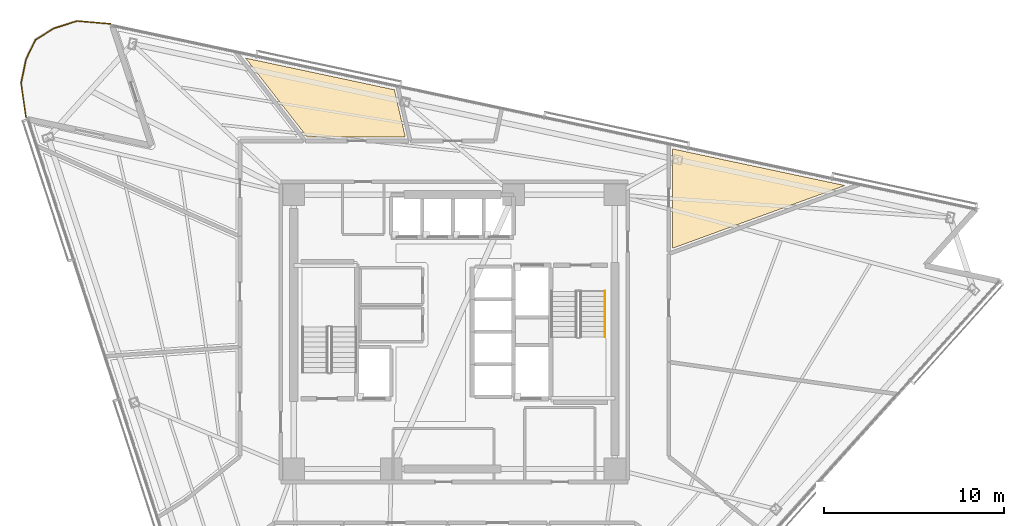
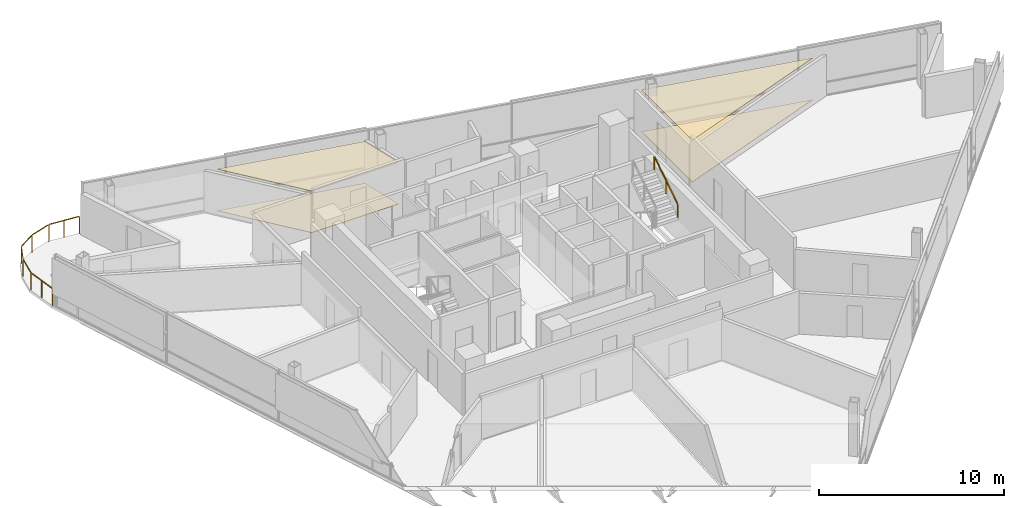
# One storey, part 17 of 17: 4 coverings, 2 railings.
"""IFC4 building model written with IfcOpenShell, lengths in metres."""

from ifc_helpers import new_model, si_unit, direction, frame, origin, origin_2d, place, context, subcontext, project, spatial, polyline, rectangle, outline, extrude, material, layer, layer_set, type_object, element, save


model = new_model("IFC4")

# Units and contexts
model_context = context("Model", 3, precision=1e-05, world=origin(), true_north=direction((0.0, 1.0)))
body_context = subcontext(model_context, "Body", "Model", "MODEL_VIEW")
ifc_project = project(units=[si_unit("LENGTHUNIT", "METRE"), si_unit("AREAUNIT", "SQUARE_METRE"), si_unit("VOLUMEUNIT", "CUBIC_METRE"), si_unit("PLANEANGLEUNIT", "RADIAN"), si_unit("MASSUNIT", "GRAM", prefix="KILO")], contexts=[model_context])

# Site, building, storey
site_placement = place(None, origin())
site = spatial("IfcSite", under=ifc_project, at=site_placement, CompositionType="ELEMENT")
building_placement = place(site_placement, origin())
building = spatial("IfcBuilding", under=site, at=building_placement, Name="Tharavind Bronze Gate", CompositionType="ELEMENT")
storey_placement = place(building_placement, frame((0.0, 0.0, 214.85009765625)))
storey = spatial("IfcBuildingStorey", under=building, at=storey_placement, Name="L55", CompositionType="ELEMENT", Elevation=214.85009765625)

# Coverings
ifc_material_1 = material(Name="Engineered Oak & Carpet Tile", Category="wood")
ifc_layer_1 = layer(ifc_material_1, 0.02490234375)
ifc_layer_set_1 = layer_set([ifc_layer_1], Name="Engineered Oak & Carpet Tile")
covering_type_1 = type_object("IfcCoveringType", Name="ENGINEERED TIMBER FLOORING", PredefinedType="FLOORING", material=ifc_layer_set_1)
covering_1_placement = place(storey_placement, origin())
element("IfcCovering", 1, at=covering_1_placement, inside=storey, type_object=covering_type_1, Name="L55-RM-01 floor finish", PredefinedType="FLOORING", context=body_context, shape_type="SweptSolid", body=[
    extrude(outline(polyline([(21.644287109375, 8.112060546875), (12.10009765625, 10.140625), (12.10009765625, 4.63818359375), (21.644287109375, 8.112060546875)])), origin(), (0.0, 0.0, 1.0), 0.02490234375),
])
covering_2_placement = place(storey_placement, origin())
element("IfcCovering", 2, at=covering_2_placement, inside=storey, type_object=covering_type_1, Name="L55-RM-03 floor finish", PredefinedType="FLOORING", context=body_context, shape_type="SweptSolid", body=[
    extrude(outline(polyline([(-8.15869140625, 10.800048828125), (-2.71923828125, 10.800048828125), (-3.32373046875, 13.419189453125), (-11.5751953125, 15.173095703125), (-8.15869140625, 10.800048828125)])), origin(), (0.0, 0.0, 1.0), 0.02490234375),
])
ifc_material_2 = material(Name="Acoustic Gypsum Board", Category="gypsum")
ifc_layer_2 = layer(ifc_material_2, 0.030029296875)
ifc_layer_set_2 = layer_set([ifc_layer_2], Name="Acoustic Gypsum Board")
covering_type_2 = type_object("IfcCoveringType", Name="GYPSUM SUSPENDED CEILING", PredefinedType="CEILING", material=ifc_layer_set_2)
covering_3_placement = place(storey_placement, frame((0.0, 0.0, 2.75)))
element("IfcCovering", 3, at=covering_3_placement, inside=storey, type_object=covering_type_2, Name="L55-RM-01 suspended ceiling", PredefinedType="CEILING", context=body_context, shape_type="SweptSolid", body=[
    extrude(outline(polyline([(21.644287109375, 8.112060546875), (12.10009765625, 10.140625), (12.10009765625, 4.63818359375), (21.644287109375, 8.112060546875)])), origin(), (0.0, 0.0, 1.0), 0.034912109375),
])
covering_4_placement = place(storey_placement, frame((0.0, 0.0, 2.75)))
element("IfcCovering", 4, at=covering_4_placement, inside=storey, type_object=covering_type_2, Name="L55-RM-03 suspended ceiling", PredefinedType="CEILING", context=body_context, shape_type="SweptSolid", body=[
    extrude(outline(polyline([(-8.15869140625, 10.800048828125), (-2.71923828125, 10.800048828125), (-3.32373046875, 13.419189453125), (-11.5751953125, 15.173095703125), (-8.15869140625, 10.800048828125)])), origin(), (0.0, 0.0, 1.0), 0.034912109375),
])

# Railings
ifc_material_3 = material(Name="Brushed Bronze Alloy", Category="metal")
railing_type_1 = type_object("IfcRailingType", Name="STAIR BRONZE HANDRAIL 900", PredefinedType="HANDRAIL", material=ifc_material_3)
railing_1_placement = place(storey_placement, frame((8.35009765625, -0.27001953125, 1.97998046875)))
element("IfcRailing", 5, at=railing_1_placement, inside=storey, type_object=railing_type_1, Name="L55 ST2 stair handrail 2", PredefinedType="HANDRAIL", context=body_context, shape_type="SweptSolid", body=[
    extrude(rectangle(XDim=0.048095703125, YDim=0.048095703125, at=origin_2d()), frame((0.0, 0.02685546875, 0.89306640625), z_axis=(0.0, 0.841199657755, 0.540724639528), x_axis=(-1.0, 0.0, 0.0)), (0.0, 0.0, 1.0), 2.931640625),
    extrude(rectangle(XDim=0.0400390625, YDim=0.0400390625, at=origin_2d()), origin(), (0.0, 0.0, 1.0), 0.847900390625),
    extrude(rectangle(XDim=0.0400390625, YDim=0.0400390625, at=origin_2d()), frame((0.0, 1.260009765625, 0.81005859375)), (0.0, 0.0, 1.0), 0.847900390625),
    extrude(rectangle(XDim=0.0400390625, YDim=0.0400390625, at=origin_2d()), frame((0.0, 2.52001953125, 1.619873046875)), (0.0, 0.0, 1.0), 0.847900390625),
])
ifc_material_4 = material(Name="Bronze Cap & Laminated Glass", Category="glass")
railing_type_2 = type_object("IfcRailingType", Name="TERRACE GLASS GUARD RAILING 1150", PredefinedType="GUARDRAIL", material=ifc_material_4)
railing_2_placement = place(storey_placement, frame((-23.7490234375, 11.887451171875, 0.0)))
element("IfcRailing", 6, at=railing_2_placement, inside=storey, type_object=railing_type_2, Name="L55 tree balcony guard railing", PredefinedType="GUARDRAIL", context=body_context, shape_type="SweptSolid", body=[
    extrude(rectangle(XDim=0.048095703125, YDim=0.048095703125, at=origin_2d()), frame((-0.00439453125, 0.03173828125, 1.1259765625), z_axis=(-0.1396808932, 0.990196570422, 0.0), x_axis=(-0.990196570422, -0.1396808932, 0.0)), (0.0, 0.0, 1.0), 1.841064453125),
    extrude(rectangle(XDim=0.048095703125, YDim=0.048095703125, at=origin_2d()), frame((-0.259765625, 1.917724609375, 1.1259765625), z_axis=(0.201091111257, 0.979572541966, 0.0), x_axis=(-0.979572541966, 0.201091111257, 0.0)), (0.0, 0.0, 1.0), 1.284912109375),
    extrude(rectangle(XDim=0.048095703125, YDim=0.048095703125, at=origin_2d()), frame((0.01904296875, 3.236572265625, 1.1259765625), z_axis=(0.435566196468, 0.900156702188, 0.0), x_axis=(-0.900156702188, 0.435566196468, 0.0)), (0.0, 0.0, 1.0), 1.147216796875),
    extrude(rectangle(XDim=0.048095703125, YDim=0.048095703125, at=origin_2d()), frame((0.559814453125, 4.31494140625, 1.1259765625), z_axis=(0.849714893769, 0.527242448316, 0.0), x_axis=(-0.527242448316, 0.849714893769, 0.0)), (0.0, 0.0, 1.0), 1.1474609375),
    extrude(rectangle(XDim=0.048095703125, YDim=0.048095703125, at=origin_2d()), frame((1.592529296875, 4.946533203125, 1.1259765625), z_axis=(0.953163202503, 0.302456458675, 0.0), x_axis=(-0.302456458675, 0.953163202503, 0.0)), (0.0, 0.0, 1.0), 1.284912109375),
    extrude(rectangle(XDim=0.048095703125, YDim=0.048095703125, at=origin_2d()), frame((2.879638671875, 5.342041015625, 1.1259765625), z_axis=(0.996289002034, -0.086071042903, 0.0), x_axis=(0.086071042903, 0.996289002034, 0.0)), (0.0, 0.0, 1.0), 1.765625),
    extrude(rectangle(XDim=0.0400390625, YDim=0.0400390625, at=origin_2d()), origin(), (0.0, 0.0, 1.0), 1.097900390625),
    extrude(rectangle(XDim=0.0400390625, YDim=0.0400390625, at=origin_2d()), frame((-0.133056640625, 0.943359375, 0.0)), (0.0, 0.0, 1.0), 1.097900390625),
    extrude(rectangle(XDim=0.0400390625, YDim=0.0400390625, at=origin_2d()), frame((-0.26611328125, 1.886474609375, 0.0)), (0.0, 0.0, 1.0), 1.097900390625),
    extrude(rectangle(XDim=0.0400390625, YDim=0.0400390625, at=origin_2d()), frame((0.005126953125, 3.207763671875, 0.0)), (0.0, 0.0, 1.0), 1.097900390625),
    extrude(rectangle(XDim=0.0400390625, YDim=0.0400390625, at=origin_2d()), frame((0.53271484375, 4.298095703125, 0.0)), (0.0, 0.0, 1.0), 1.097900390625),
    extrude(rectangle(XDim=0.0400390625, YDim=0.0400390625, at=origin_2d()), frame((1.56201171875, 4.936767578125, 0.0)), (0.0, 0.0, 1.0), 1.097900390625),
    extrude(rectangle(XDim=0.0400390625, YDim=0.0400390625, at=origin_2d()), frame((2.84765625, 5.3447265625, 0.0)), (0.0, 0.0, 1.0), 1.097900390625),
    extrude(rectangle(XDim=0.0400390625, YDim=0.0400390625, at=origin_2d()), frame((3.759033203125, 5.26611328125, 0.0)), (0.0, 0.0, 1.0), 1.097900390625),
    extrude(rectangle(XDim=0.0400390625, YDim=0.0400390625, at=origin_2d()), frame((4.67041015625, 5.187255859375, 0.0)), (0.0, 0.0, 1.0), 1.097900390625),
])

save(model, "model.ifc")
